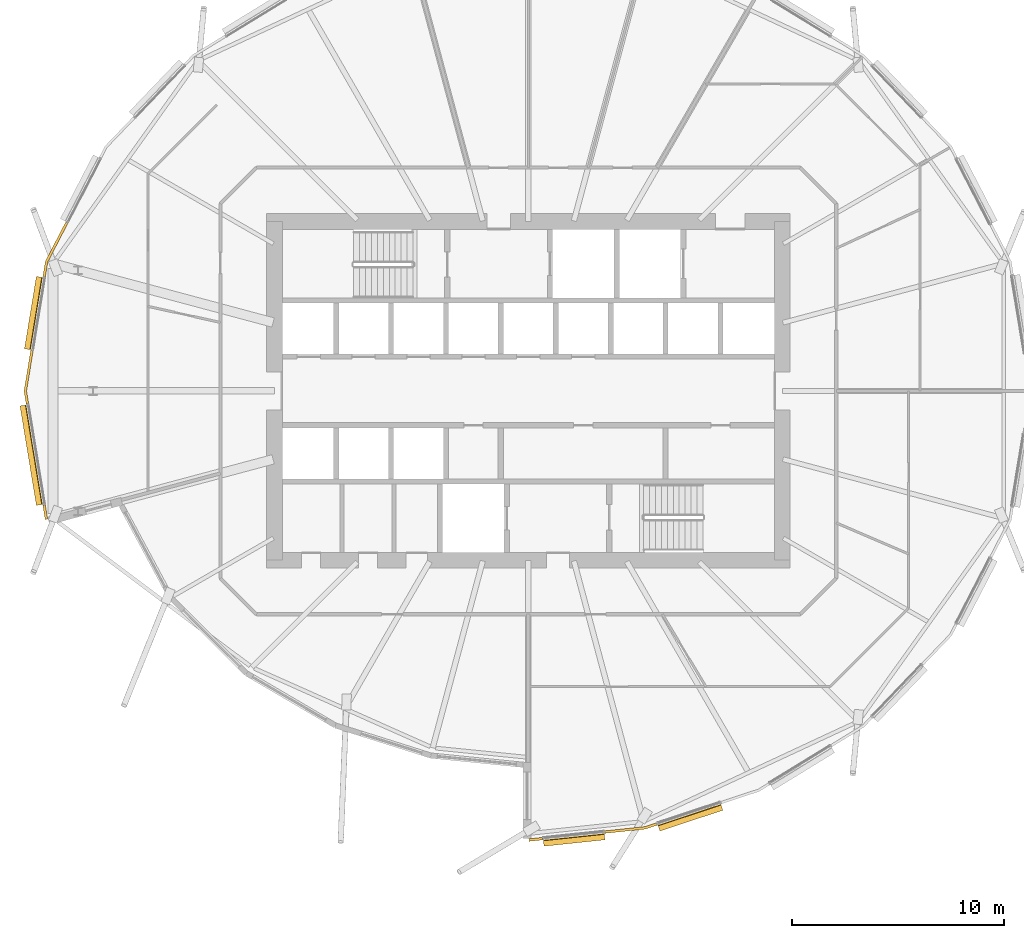
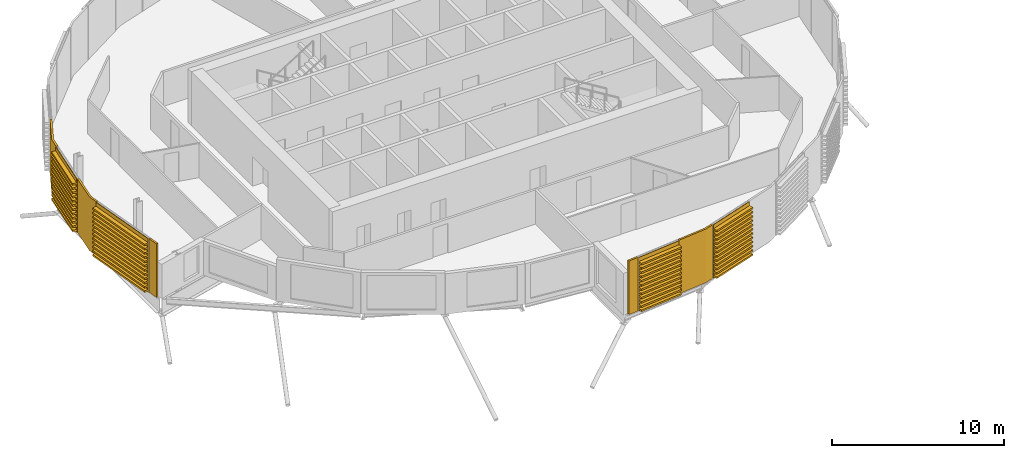
# One storey, part 35 of 40: 9 coverings.
"""IFC4 building model written with IfcOpenShell, lengths in metres."""

from ifc_helpers import new_model, si_unit, direction, frame, origin, place, context, subcontext, project, spatial, polyline, outline, extrude, material, layer, layer_set, material_profile, profile_set, type_object, element, save


model = new_model("IFC4")

# Units and contexts
model_context = context("Model", 3, precision=1e-05, world=origin(), true_north=direction((0.0, 1.0)))
body_context = subcontext(model_context, "Body", "Model", "MODEL_VIEW")
ifc_project = project(units=[si_unit("LENGTHUNIT", "METRE"), si_unit("AREAUNIT", "SQUARE_METRE"), si_unit("VOLUMEUNIT", "CUBIC_METRE"), si_unit("PLANEANGLEUNIT", "RADIAN"), si_unit("MASSUNIT", "GRAM", prefix="KILO")], contexts=[model_context])

# Site, building, storey
site_placement = place(None, origin())
site = spatial("IfcSite", under=ifc_project, at=site_placement, CompositionType="ELEMENT")
building_placement = place(site_placement, origin())
building = spatial("IfcBuilding", under=site, at=building_placement, Name="Rimbun Link Towers", CompositionType="ELEMENT")
storey_placement = place(building_placement, frame((0.0, 0.0, 89.199951171875)))
storey = spatial("IfcBuildingStorey", under=building, at=storey_placement, Name="L21", CompositionType="ELEMENT", Elevation=89.199951171875)

# Coverings
ifc_material_1 = material(Name="Terracotta", Category="masonry")
ifc_layer = layer(ifc_material_1, 0.1201171875)
ifc_layer_set = layer_set([ifc_layer], Name="LINK PIER terracotta cladding 120")
covering_type_1 = type_object("IfcCoveringType", Name="LINK PIER terracotta cladding 120", PredefinedType="CLADDING", material=ifc_layer_set)
covering_1_placement = place(storey_placement, origin())
element("IfcCovering", 1, at=covering_1_placement, inside=storey, type_object=covering_type_1, Name="LINK PIER cladding", PredefinedType="CLADDING", context=body_context, shape_type="SweptSolid", body=[
    extrude(outline(polyline([(-54.572265625, 5.37353515625), (-54.45556640625, 6.083984375), (-53.504150390625, 7.92236328125), (-53.61083984375, 7.9775390625), (-54.57080078125, 6.1220703125), (-54.690673828125, 5.392822265625), (-54.572265625, 5.37353515625)])), origin(), (0.0, 0.0, 1.0), 3.800048828125),
])
covering_2_placement = place(storey_placement, origin())
element("IfcCovering", 2, at=covering_2_placement, inside=storey, type_object=covering_type_1, Name="LINK PIER cladding", PredefinedType="CLADDING", context=body_context, shape_type="SweptSolid", body=[
    extrude(outline(polyline([(-54.46044921875, -6.05419921875), (-54.572265625, -5.37353515625), (-54.690673828125, -5.392822265625), (-54.578857421875, -6.07373046875), (-54.46044921875, -6.05419921875)])), origin(), (0.0, 0.0, 1.0), 3.800048828125),
])
covering_3_placement = place(storey_placement, origin())
element("IfcCovering", 3, at=covering_3_placement, inside=storey, type_object=covering_type_1, Name="LINK PIER cladding", PredefinedType="CLADDING", context=body_context, shape_type="SweptSolid", body=[
    extrude(outline(polyline([(-55.355224609375, -0.61181640625), (-55.455810546875, 0.0), (-55.144287109375, 1.89453125), (-55.2626953125, 1.9140625), (-55.577392578125, 0.0), (-55.4736328125, -0.63134765625), (-55.355224609375, -0.61181640625)])), origin(), (0.0, 0.0, 1.0), 3.800048828125),
])
covering_4_placement = place(storey_placement, origin())
element("IfcCovering", 4, at=covering_4_placement, inside=storey, type_object=covering_type_1, Name="LINK PIER cladding", PredefinedType="CLADDING", context=body_context, shape_type="SweptSolid", body=[
    extrude(outline(polyline([(-31.083740234375, -21.095947265625), (-31.72021484375, -21.162841796875), (-31.70751953125, -21.2822265625), (-31.071044921875, -21.215087890625), (-31.083740234375, -21.095947265625)])), origin(), (0.0, 0.0, 1.0), 3.800048828125),
])
covering_5_placement = place(storey_placement, origin())
element("IfcCovering", 5, at=covering_5_placement, inside=storey, type_object=covering_type_1, Name="LINK PIER cladding", PredefinedType="CLADDING", context=body_context, shape_type="SweptSolid", body=[
    extrude(outline(polyline([(-25.693115234375, -20.40576171875), (-26.234130859375, -20.585205078125), (-28.1435546875, -20.7861328125), (-28.131103515625, -20.905517578125), (-26.208740234375, -20.703125), (-25.6552734375, -20.519775390625), (-25.693115234375, -20.40576171875)])), origin(), (0.0, 0.0, 1.0), 3.800048828125),
])
ifc_material_2 = material(Name="Terracotta", Category="masonry")
ifc_material_profile = material_profile(ifc_material_2, outline(polyline([(0.123046875, 0.0), (0.1630859375, 0.0), (0.1630859375, 0.10009765625), (0.423095703125, 0.10009765625), (0.423095703125, 0.219970703125), (0.1630859375, 0.219970703125), (0.1630859375, 0.39990234375), (0.423095703125, 0.39990234375), (0.423095703125, 0.52001953125), (0.1630859375, 0.52001953125), (0.1630859375, 0.699951171875), (0.423095703125, 0.699951171875), (0.423095703125, 0.820068359375), (0.1630859375, 0.820068359375), (0.1630859375, 1.0), (0.423095703125, 1.0), (0.423095703125, 1.1201171875), (0.1630859375, 1.1201171875), (0.1630859375, 1.300048828125), (0.423095703125, 1.300048828125), (0.423095703125, 1.419921875), (0.1630859375, 1.419921875), (0.1630859375, 1.60009765625), (0.423095703125, 1.60009765625), (0.423095703125, 1.719970703125), (0.1630859375, 1.719970703125), (0.1630859375, 1.89990234375), (0.423095703125, 1.89990234375), (0.423095703125, 2.02001953125), (0.1630859375, 2.02001953125), (0.1630859375, 2.199951171875), (0.423095703125, 2.199951171875), (0.423095703125, 2.320068359375), (0.1630859375, 2.320068359375), (0.1630859375, 2.5), (0.423095703125, 2.5), (0.423095703125, 2.6201171875), (0.1630859375, 2.6201171875), (0.1630859375, 2.800048828125), (0.423095703125, 2.800048828125), (0.423095703125, 2.919921875), (0.1630859375, 2.919921875), (0.1630859375, 3.10009765625), (0.423095703125, 3.10009765625), (0.423095703125, 3.219970703125), (0.1630859375, 3.219970703125), (0.1630859375, 3.39990234375), (0.423095703125, 3.39990234375), (0.423095703125, 3.52001953125), (0.1630859375, 3.52001953125), (0.1630859375, 3.800048828125), (0.123046875, 3.800048828125), (0.123046875, 0.0)])), Name="BAGUETTE 120X300")
ifc_profile_set = profile_set([ifc_material_profile], Name="Terracotta")
covering_type_2 = type_object("IfcCoveringType", Name="TERRACOTTA BAGUETTE 120X300 H3800", PredefinedType="CLADDING", material=ifc_profile_set)
covering_6_placement = place(storey_placement, frame((-55.139404296875, 1.924072265625, 0.0), z_axis=(0.162239487498, 0.986751411804, 0.0), x_axis=(-0.986751411804, 0.162239487498, 0.0)))
element("IfcCovering", 6, at=covering_6_placement, inside=storey, type_object=covering_type_2, Name="TERRACOTTA BAGUETTE", PredefinedType="CLADDING", context=body_context, shape_type="SweptSolid", body=[
    extrude(outline(polyline([(0.123046875, 0.0), (0.1630859375, 0.0), (0.1630859375, 0.10009765625), (0.423095703125, 0.10009765625), (0.423095703125, 0.219970703125), (0.1630859375, 0.219970703125), (0.1630859375, 0.39990234375), (0.423095703125, 0.39990234375), (0.423095703125, 0.52001953125), (0.1630859375, 0.52001953125), (0.1630859375, 0.699951171875), (0.423095703125, 0.699951171875), (0.423095703125, 0.820068359375), (0.1630859375, 0.820068359375), (0.1630859375, 1.0), (0.423095703125, 1.0), (0.423095703125, 1.1201171875), (0.1630859375, 1.1201171875), (0.1630859375, 1.300048828125), (0.423095703125, 1.300048828125), (0.423095703125, 1.419921875), (0.1630859375, 1.419921875), (0.1630859375, 1.60009765625), (0.423095703125, 1.60009765625), (0.423095703125, 1.719970703125), (0.1630859375, 1.719970703125), (0.1630859375, 1.89990234375), (0.423095703125, 1.89990234375), (0.423095703125, 2.02001953125), (0.1630859375, 2.02001953125), (0.1630859375, 2.199951171875), (0.423095703125, 2.199951171875), (0.423095703125, 2.320068359375), (0.1630859375, 2.320068359375), (0.1630859375, 2.5), (0.423095703125, 2.5), (0.423095703125, 2.6201171875), (0.1630859375, 2.6201171875), (0.1630859375, 2.800048828125), (0.423095703125, 2.800048828125), (0.423095703125, 2.919921875), (0.1630859375, 2.919921875), (0.1630859375, 3.10009765625), (0.423095703125, 3.10009765625), (0.423095703125, 3.219970703125), (0.1630859375, 3.219970703125), (0.1630859375, 3.39990234375), (0.423095703125, 3.39990234375), (0.423095703125, 3.52001953125), (0.1630859375, 3.52001953125), (0.1630859375, 3.800048828125), (0.123046875, 3.800048828125), (0.123046875, 0.0)])), origin(), (0.0, 0.0, 1.0), 3.465576171875),
])
covering_7_placement = place(storey_placement, frame((-54.5771484375, -5.34375, 0.0), z_axis=(-0.162246916198, 0.986750190364, 0.0), x_axis=(-0.986750190364, -0.162246916198, 0.0)))
element("IfcCovering", 7, at=covering_7_placement, inside=storey, type_object=covering_type_2, Name="TERRACOTTA BAGUETTE", PredefinedType="CLADDING", context=body_context, shape_type="SweptSolid", body=[
    extrude(outline(polyline([(0.123046875, 0.0), (0.1630859375, 0.0), (0.1630859375, 0.10009765625), (0.423095703125, 0.10009765625), (0.423095703125, 0.219970703125), (0.1630859375, 0.219970703125), (0.1630859375, 0.39990234375), (0.423095703125, 0.39990234375), (0.423095703125, 0.52001953125), (0.1630859375, 0.52001953125), (0.1630859375, 0.699951171875), (0.423095703125, 0.699951171875), (0.423095703125, 0.820068359375), (0.1630859375, 0.820068359375), (0.1630859375, 1.0), (0.423095703125, 1.0), (0.423095703125, 1.1201171875), (0.1630859375, 1.1201171875), (0.1630859375, 1.300048828125), (0.423095703125, 1.300048828125), (0.423095703125, 1.419921875), (0.1630859375, 1.419921875), (0.1630859375, 1.60009765625), (0.423095703125, 1.60009765625), (0.423095703125, 1.719970703125), (0.1630859375, 1.719970703125), (0.1630859375, 1.89990234375), (0.423095703125, 1.89990234375), (0.423095703125, 2.02001953125), (0.1630859375, 2.02001953125), (0.1630859375, 2.199951171875), (0.423095703125, 2.199951171875), (0.423095703125, 2.320068359375), (0.1630859375, 2.320068359375), (0.1630859375, 2.5), (0.423095703125, 2.5), (0.423095703125, 2.6201171875), (0.1630859375, 2.6201171875), (0.1630859375, 2.800048828125), (0.423095703125, 2.800048828125), (0.423095703125, 2.919921875), (0.1630859375, 2.919921875), (0.1630859375, 3.10009765625), (0.423095703125, 3.10009765625), (0.423095703125, 3.219970703125), (0.1630859375, 3.219970703125), (0.1630859375, 3.39990234375), (0.423095703125, 3.39990234375), (0.423095703125, 3.52001953125), (0.1630859375, 3.52001953125), (0.1630859375, 3.800048828125), (0.123046875, 3.800048828125), (0.123046875, 0.0)])), origin(), (0.0, 0.0, 1.0), 4.765625),
])
covering_8_placement = place(storey_placement, frame((-28.173583984375, -20.789306640625, 0.0), z_axis=(-0.994495749116, -0.104776929662, 0.0), x_axis=(0.104776929662, -0.994495749116, 0.0)))
element("IfcCovering", 8, at=covering_8_placement, inside=storey, type_object=covering_type_2, Name="TERRACOTTA BAGUETTE", PredefinedType="CLADDING", context=body_context, shape_type="SweptSolid", body=[
    extrude(outline(polyline([(0.123046875, 0.0), (0.1630859375, 0.0), (0.1630859375, 0.10009765625), (0.423095703125, 0.10009765625), (0.423095703125, 0.219970703125), (0.1630859375, 0.219970703125), (0.1630859375, 0.39990234375), (0.423095703125, 0.39990234375), (0.423095703125, 0.52001953125), (0.1630859375, 0.52001953125), (0.1630859375, 0.699951171875), (0.423095703125, 0.699951171875), (0.423095703125, 0.820068359375), (0.1630859375, 0.820068359375), (0.1630859375, 1.0), (0.423095703125, 1.0), (0.423095703125, 1.1201171875), (0.1630859375, 1.1201171875), (0.1630859375, 1.300048828125), (0.423095703125, 1.300048828125), (0.423095703125, 1.419921875), (0.1630859375, 1.419921875), (0.1630859375, 1.60009765625), (0.423095703125, 1.60009765625), (0.423095703125, 1.719970703125), (0.1630859375, 1.719970703125), (0.1630859375, 1.89990234375), (0.423095703125, 1.89990234375), (0.423095703125, 2.02001953125), (0.1630859375, 2.02001953125), (0.1630859375, 2.199951171875), (0.423095703125, 2.199951171875), (0.423095703125, 2.320068359375), (0.1630859375, 2.320068359375), (0.1630859375, 2.5), (0.423095703125, 2.5), (0.423095703125, 2.6201171875), (0.1630859375, 2.6201171875), (0.1630859375, 2.800048828125), (0.423095703125, 2.800048828125), (0.423095703125, 2.919921875), (0.1630859375, 2.919921875), (0.1630859375, 3.10009765625), (0.423095703125, 3.10009765625), (0.423095703125, 3.219970703125), (0.1630859375, 3.219970703125), (0.1630859375, 3.39990234375), (0.423095703125, 3.39990234375), (0.423095703125, 3.52001953125), (0.1630859375, 3.52001953125), (0.1630859375, 3.800048828125), (0.123046875, 3.800048828125), (0.123046875, 0.0)])), origin(), (0.0, 0.0, 1.0), 2.896240234375),
])
covering_9_placement = place(storey_placement, frame((-22.691650390625, -19.4111328125, 0.0), z_axis=(-0.949243070926, -0.314543466469, 0.0), x_axis=(0.314543466469, -0.949243070926, 0.0)))
element("IfcCovering", 9, at=covering_9_placement, inside=storey, type_object=covering_type_2, Name="TERRACOTTA BAGUETTE", PredefinedType="CLADDING", context=body_context, shape_type="SweptSolid", body=[
    extrude(outline(polyline([(0.123046875, 0.0), (0.1630859375, 0.0), (0.1630859375, 0.10009765625), (0.423095703125, 0.10009765625), (0.423095703125, 0.219970703125), (0.1630859375, 0.219970703125), (0.1630859375, 0.39990234375), (0.423095703125, 0.39990234375), (0.423095703125, 0.52001953125), (0.1630859375, 0.52001953125), (0.1630859375, 0.699951171875), (0.423095703125, 0.699951171875), (0.423095703125, 0.820068359375), (0.1630859375, 0.820068359375), (0.1630859375, 1.0), (0.423095703125, 1.0), (0.423095703125, 1.1201171875), (0.1630859375, 1.1201171875), (0.1630859375, 1.300048828125), (0.423095703125, 1.300048828125), (0.423095703125, 1.419921875), (0.1630859375, 1.419921875), (0.1630859375, 1.60009765625), (0.423095703125, 1.60009765625), (0.423095703125, 1.719970703125), (0.1630859375, 1.719970703125), (0.1630859375, 1.89990234375), (0.423095703125, 1.89990234375), (0.423095703125, 2.02001953125), (0.1630859375, 2.02001953125), (0.1630859375, 2.199951171875), (0.423095703125, 2.199951171875), (0.423095703125, 2.320068359375), (0.1630859375, 2.320068359375), (0.1630859375, 2.5), (0.423095703125, 2.5), (0.423095703125, 2.6201171875), (0.1630859375, 2.6201171875), (0.1630859375, 2.800048828125), (0.423095703125, 2.800048828125), (0.423095703125, 2.919921875), (0.1630859375, 2.919921875), (0.1630859375, 3.10009765625), (0.423095703125, 3.10009765625), (0.423095703125, 3.219970703125), (0.1630859375, 3.219970703125), (0.1630859375, 3.39990234375), (0.423095703125, 3.39990234375), (0.423095703125, 3.52001953125), (0.1630859375, 3.52001953125), (0.1630859375, 3.800048828125), (0.123046875, 3.800048828125), (0.123046875, 0.0)])), origin(), (0.0, 0.0, 1.0), 3.1318359375),
])

save(model, "model.ifc")
